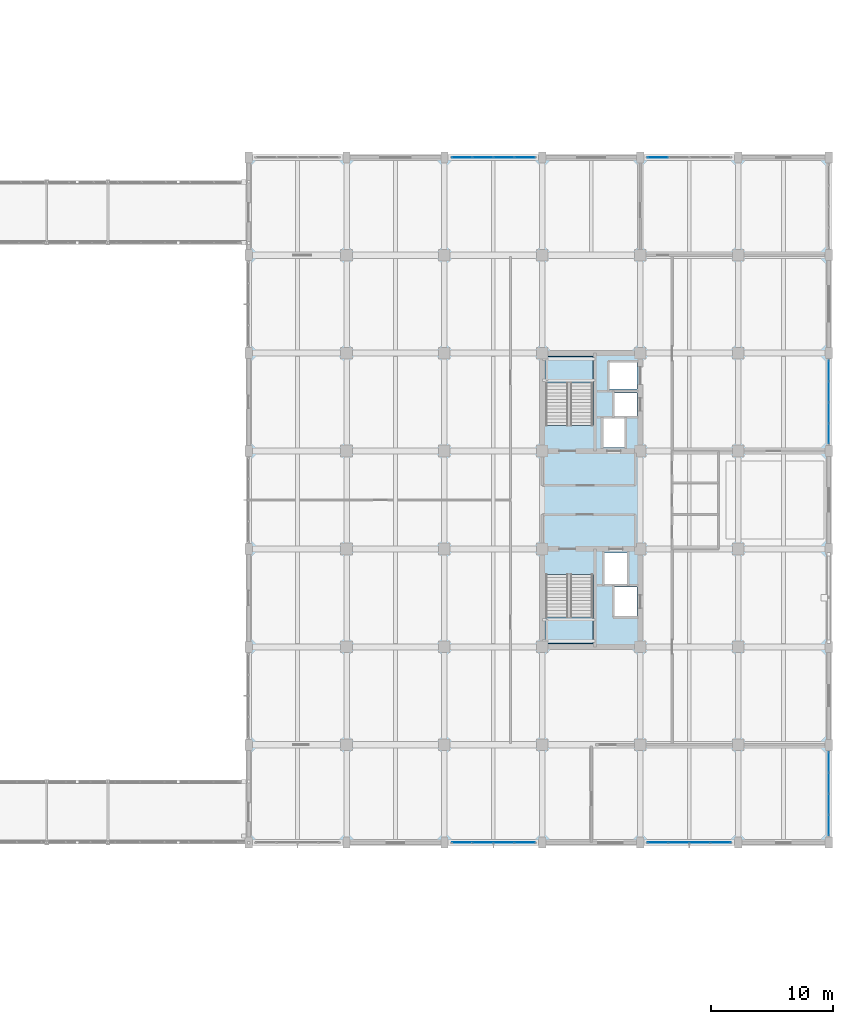
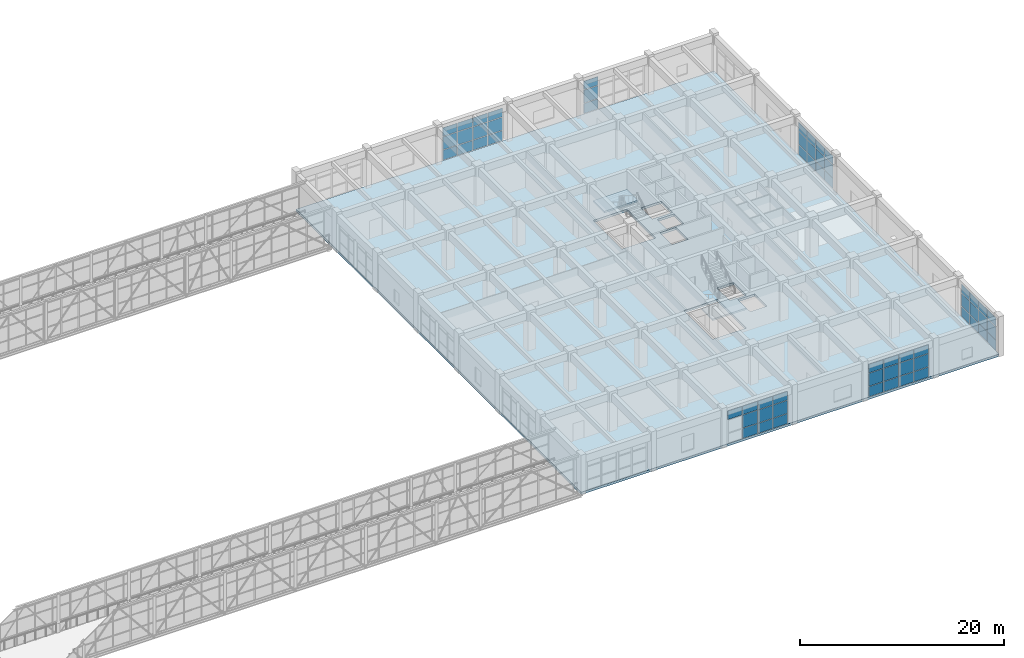
# One storey, part 212 of 248: 61 plates, 3 slabs, 8 elements without a shape of their own.
"""IFC4 building model written with IfcOpenShell, lengths in metres."""

from ifc_helpers import new_model, si_unit, direction, frame, origin, origin_2d, place, context, subcontext, project, spatial, polyline, rectangle, outline, extrude, material, layer, layer_set, type_object, element, aggregate, save


model = new_model("IFC4")

# Units and contexts
model_context = context("Model", 3, precision=1e-05, world=origin(), true_north=direction((0.0, 1.0)))
body_context = subcontext(model_context, "Body", "Model", "MODEL_VIEW")
ifc_project = project(units=[si_unit("LENGTHUNIT", "METRE"), si_unit("AREAUNIT", "SQUARE_METRE"), si_unit("VOLUMEUNIT", "CUBIC_METRE"), si_unit("PLANEANGLEUNIT", "RADIAN"), si_unit("MASSUNIT", "GRAM", prefix="KILO")], contexts=[model_context])

# Site, building, storey
site_placement = place(None, origin())
site = spatial("IfcSite", under=ifc_project, at=site_placement, CompositionType="ELEMENT")
building_placement = place(site_placement, origin())
building = spatial("IfcBuilding", under=site, at=building_placement, Name="Canggui Botanical Conservatory", CompositionType="ELEMENT")
storey_placement = place(building_placement, frame((0.0, 0.0, 5.39990234375)))
storey = spatial("IfcBuildingStorey", under=building, at=storey_placement, Name="L02", CompositionType="ELEMENT", Elevation=5.39990234375)

# Curtain wall, plates
ifc_material_1 = material(Name="Thermally Broken Aluminium", Category="aluminium")
ifc_layer_1 = layer(ifc_material_1, 0.1650390625, Name="Thermally Broken Aluminium", Category="aluminium")
ifc_layer_set_1 = layer_set([ifc_layer_1], Name="Thermally Broken Aluminium")
curtain_wall_type = type_object("IfcCurtainWallType", Name="CW-UNIT-B", PredefinedType="USERDEFINED", material=ifc_layer_set_1)
curtain_wall_1_placement = place(storey_placement, origin())
curtain_wall_1 = element("IfcCurtainWall", 1, at=curtain_wall_1_placement, inside=storey, type_object=curtain_wall_type, Name="Facade Curtain Wall CW-TWR-L02-02", ObjectType="UNITISED CURTAIN WALL", PredefinedType="USERDEFINED")
ifc_material_2 = material(Name="Low-E Insulated Glass", Category="glass")
ifc_layer_2 = layer(ifc_material_2, 0.030029296875, Name="Low-E Insulated Glass", Category="glass")
ifc_layer_set_2 = layer_set([ifc_layer_2], Name="Low-E Insulated Glass")
plate_type = type_object("IfcPlateType", Name="CWP-02", PredefinedType="CURTAIN_PANEL", material=ifc_layer_set_2)
plate_1_placement = place(storey_placement, frame((168.563720703125, 26.0, 0.06005859375), z_axis=(0.0, 0.0, 1.0), x_axis=(-1.0, 0.0, 0.0)))
plate_1 = element("IfcPlate", 2, at=plate_1_placement, type_object=plate_type, Name="CW-02 panel 1.1", PredefinedType="CURTAIN_PANEL", context=body_context, shape_type="SweptSolid", body=[
    extrude(rectangle(XDim=1.62255859375, YDim=0.030029296875, at=origin_2d()), origin(), (0.0, 0.0, 1.0), 1.18994140625),
])
plate_2_placement = place(storey_placement, frame((168.563720703125, 26.0, 1.31005859375), z_axis=(0.0, 0.0, 1.0), x_axis=(-1.0, 0.0, 0.0)))
plate_2 = element("IfcPlate", 3, at=plate_2_placement, type_object=plate_type, Name="CW-02 panel 1.2", PredefinedType="CURTAIN_PANEL", context=body_context, shape_type="SweptSolid", body=[
    extrude(rectangle(XDim=1.62255859375, YDim=0.030029296875, at=origin_2d()), origin(), (0.0, 0.0, 1.0), 1.5400390625),
])
plate_3_placement = place(storey_placement, frame((168.563720703125, 26.0, 2.91015625), z_axis=(0.0, 0.0, 1.0), x_axis=(-1.0, 0.0, 0.0)))
plate_3 = element("IfcPlate", 4, at=plate_3_placement, type_object=plate_type, Name="CW-02 panel 1.3", PredefinedType="CURTAIN_PANEL", context=body_context, shape_type="SweptSolid", body=[
    extrude(rectangle(XDim=1.62255859375, YDim=0.030029296875, at=origin_2d()), origin(), (0.0, 0.0, 1.0), 1.030029296875),
])
plate_4_placement = place(storey_placement, frame((166.860107421875, 26.0, 0.06005859375), z_axis=(0.0, 0.0, 1.0), x_axis=(-1.0, 0.0, 0.0)))
plate_4 = element("IfcPlate", 5, at=plate_4_placement, type_object=plate_type, Name="CW-02 panel 2.1", PredefinedType="CURTAIN_PANEL", context=body_context, shape_type="SweptSolid", body=[
    extrude(rectangle(XDim=1.655029296875, YDim=0.030029296875, at=origin_2d()), origin(), (0.0, 0.0, 1.0), 1.18994140625),
])
plate_5_placement = place(storey_placement, frame((166.860107421875, 26.0, 1.31005859375), z_axis=(0.0, 0.0, 1.0), x_axis=(-1.0, 0.0, 0.0)))
plate_5 = element("IfcPlate", 6, at=plate_5_placement, type_object=plate_type, Name="CW-02 panel 2.2", PredefinedType="CURTAIN_PANEL", context=body_context, shape_type="SweptSolid", body=[
    extrude(rectangle(XDim=1.655029296875, YDim=0.030029296875, at=origin_2d()), origin(), (0.0, 0.0, 1.0), 1.5400390625),
])
plate_6_placement = place(storey_placement, frame((166.860107421875, 26.0, 2.91015625), z_axis=(0.0, 0.0, 1.0), x_axis=(-1.0, 0.0, 0.0)))
plate_6 = element("IfcPlate", 7, at=plate_6_placement, type_object=plate_type, Name="CW-02 panel 2.3", PredefinedType="CURTAIN_PANEL", context=body_context, shape_type="SweptSolid", body=[
    extrude(rectangle(XDim=1.655029296875, YDim=0.030029296875, at=origin_2d()), origin(), (0.0, 0.0, 1.0), 1.030029296875),
])
plate_7_placement = place(storey_placement, frame((165.139892578125, 26.0, 0.06005859375), z_axis=(0.0, 0.0, 1.0), x_axis=(-1.0, 0.0, 0.0)))
plate_7 = element("IfcPlate", 8, at=plate_7_placement, type_object=plate_type, Name="CW-02 panel 3.1", PredefinedType="CURTAIN_PANEL", context=body_context, shape_type="SweptSolid", body=[
    extrude(rectangle(XDim=1.655029296875, YDim=0.030029296875, at=origin_2d()), origin(), (0.0, 0.0, 1.0), 1.18994140625),
])
plate_8_placement = place(storey_placement, frame((165.139892578125, 26.0, 1.31005859375), z_axis=(0.0, 0.0, 1.0), x_axis=(-1.0, 0.0, 0.0)))
plate_8 = element("IfcPlate", 9, at=plate_8_placement, type_object=plate_type, Name="CW-02 panel 3.2", PredefinedType="CURTAIN_PANEL", context=body_context, shape_type="SweptSolid", body=[
    extrude(rectangle(XDim=1.655029296875, YDim=0.030029296875, at=origin_2d()), origin(), (0.0, 0.0, 1.0), 1.5400390625),
])
plate_9_placement = place(storey_placement, frame((165.139892578125, 26.0, 2.91015625), z_axis=(0.0, 0.0, 1.0), x_axis=(-1.0, 0.0, 0.0)))
plate_9 = element("IfcPlate", 10, at=plate_9_placement, type_object=plate_type, Name="CW-02 panel 3.3", PredefinedType="CURTAIN_PANEL", context=body_context, shape_type="SweptSolid", body=[
    extrude(rectangle(XDim=1.655029296875, YDim=0.030029296875, at=origin_2d()), origin(), (0.0, 0.0, 1.0), 1.030029296875),
])
plate_10_placement = place(storey_placement, frame((163.436279296875, 26.0, 0.06005859375), z_axis=(0.0, 0.0, 1.0), x_axis=(-1.0, 0.0, 0.0)))
plate_10 = element("IfcPlate", 11, at=plate_10_placement, type_object=plate_type, Name="CW-02 panel 4.1", PredefinedType="CURTAIN_PANEL", context=body_context, shape_type="SweptSolid", body=[
    extrude(rectangle(XDim=1.62255859375, YDim=0.030029296875, at=origin_2d()), origin(), (0.0, 0.0, 1.0), 1.18994140625),
])
plate_11_placement = place(storey_placement, frame((163.436279296875, 26.0, 1.31005859375), z_axis=(0.0, 0.0, 1.0), x_axis=(-1.0, 0.0, 0.0)))
plate_11 = element("IfcPlate", 12, at=plate_11_placement, type_object=plate_type, Name="CW-02 panel 4.2", PredefinedType="CURTAIN_PANEL", context=body_context, shape_type="SweptSolid", body=[
    extrude(rectangle(XDim=1.62255859375, YDim=0.030029296875, at=origin_2d()), origin(), (0.0, 0.0, 1.0), 1.5400390625),
])
plate_12_placement = place(storey_placement, frame((163.436279296875, 26.0, 2.91015625), z_axis=(0.0, 0.0, 1.0), x_axis=(-1.0, 0.0, 0.0)))
plate_12 = element("IfcPlate", 13, at=plate_12_placement, type_object=plate_type, Name="CW-02 panel 4.3", PredefinedType="CURTAIN_PANEL", context=body_context, shape_type="SweptSolid", body=[
    extrude(rectangle(XDim=1.62255859375, YDim=0.030029296875, at=origin_2d()), origin(), (0.0, 0.0, 1.0), 1.030029296875),
])
aggregate(curtain_wall_1, [plate_1, plate_2, plate_3, plate_4, plate_5, plate_6, plate_7, plate_8, plate_9, plate_10, plate_11, plate_12])

curtain_wall_2_placement = place(storey_placement, origin())
curtain_wall_2 = element("IfcCurtainWall", 14, at=curtain_wall_2_placement, inside=storey, type_object=curtain_wall_type, Name="Facade Curtain Wall CW-TWR-L02-04", ObjectType="UNITISED CURTAIN WALL", PredefinedType="USERDEFINED")
plate_13_placement = place(storey_placement, frame((152.563720703125, 26.0, 0.06005859375), z_axis=(0.0, 0.0, 1.0), x_axis=(-1.0, 0.0, 0.0)))
plate_13 = element("IfcPlate", 15, at=plate_13_placement, type_object=plate_type, Name="CW-02 panel 1.1", PredefinedType="CURTAIN_PANEL", context=body_context, shape_type="SweptSolid", body=[
    extrude(rectangle(XDim=1.62255859375, YDim=0.030029296875, at=origin_2d()), origin(), (0.0, 0.0, 1.0), 1.18994140625),
])
plate_14_placement = place(storey_placement, frame((152.563720703125, 26.0, 1.31005859375), z_axis=(0.0, 0.0, 1.0), x_axis=(-1.0, 0.0, 0.0)))
plate_14 = element("IfcPlate", 16, at=plate_14_placement, type_object=plate_type, Name="CW-02 panel 1.2", PredefinedType="CURTAIN_PANEL", context=body_context, shape_type="SweptSolid", body=[
    extrude(rectangle(XDim=1.62255859375, YDim=0.030029296875, at=origin_2d()), origin(), (0.0, 0.0, 1.0), 1.5400390625),
])
plate_15_placement = place(storey_placement, frame((152.563720703125, 26.0, 2.91015625), z_axis=(0.0, 0.0, 1.0), x_axis=(-1.0, 0.0, 0.0)))
plate_15 = element("IfcPlate", 17, at=plate_15_placement, type_object=plate_type, Name="CW-02 panel 1.3", PredefinedType="CURTAIN_PANEL", context=body_context, shape_type="SweptSolid", body=[
    extrude(rectangle(XDim=1.62255859375, YDim=0.030029296875, at=origin_2d()), origin(), (0.0, 0.0, 1.0), 1.030029296875),
])
plate_16_placement = place(storey_placement, frame((150.860107421875, 26.0, 0.06005859375), z_axis=(0.0, 0.0, 1.0), x_axis=(-1.0, 0.0, 0.0)))
plate_16 = element("IfcPlate", 18, at=plate_16_placement, type_object=plate_type, Name="CW-02 panel 2.1", PredefinedType="CURTAIN_PANEL", context=body_context, shape_type="SweptSolid", body=[
    extrude(rectangle(XDim=1.655029296875, YDim=0.030029296875, at=origin_2d()), origin(), (0.0, 0.0, 1.0), 1.18994140625),
])
plate_17_placement = place(storey_placement, frame((150.860107421875, 26.0, 1.31005859375), z_axis=(0.0, 0.0, 1.0), x_axis=(-1.0, 0.0, 0.0)))
plate_17 = element("IfcPlate", 19, at=plate_17_placement, type_object=plate_type, Name="CW-02 panel 2.2", PredefinedType="CURTAIN_PANEL", context=body_context, shape_type="SweptSolid", body=[
    extrude(rectangle(XDim=1.655029296875, YDim=0.030029296875, at=origin_2d()), origin(), (0.0, 0.0, 1.0), 1.5400390625),
])
plate_18_placement = place(storey_placement, frame((150.860107421875, 26.0, 2.91015625), z_axis=(0.0, 0.0, 1.0), x_axis=(-1.0, 0.0, 0.0)))
plate_18 = element("IfcPlate", 20, at=plate_18_placement, type_object=plate_type, Name="CW-02 panel 2.3", PredefinedType="CURTAIN_PANEL", context=body_context, shape_type="SweptSolid", body=[
    extrude(rectangle(XDim=1.655029296875, YDim=0.030029296875, at=origin_2d()), origin(), (0.0, 0.0, 1.0), 1.030029296875),
])
plate_19_placement = place(storey_placement, frame((149.139892578125, 26.0, 0.06005859375), z_axis=(0.0, 0.0, 1.0), x_axis=(-1.0, 0.0, 0.0)))
plate_19 = element("IfcPlate", 21, at=plate_19_placement, type_object=plate_type, Name="CW-02 panel 3.1", PredefinedType="CURTAIN_PANEL", context=body_context, shape_type="SweptSolid", body=[
    extrude(rectangle(XDim=1.655029296875, YDim=0.030029296875, at=origin_2d()), origin(), (0.0, 0.0, 1.0), 1.18994140625),
])
plate_20_placement = place(storey_placement, frame((149.139892578125, 26.0, 1.31005859375), z_axis=(0.0, 0.0, 1.0), x_axis=(-1.0, 0.0, 0.0)))
plate_20 = element("IfcPlate", 22, at=plate_20_placement, type_object=plate_type, Name="CW-02 panel 3.2", PredefinedType="CURTAIN_PANEL", context=body_context, shape_type="SweptSolid", body=[
    extrude(rectangle(XDim=1.655029296875, YDim=0.030029296875, at=origin_2d()), origin(), (0.0, 0.0, 1.0), 1.5400390625),
])
plate_21_placement = place(storey_placement, frame((149.139892578125, 26.0, 2.91015625), z_axis=(0.0, 0.0, 1.0), x_axis=(-1.0, 0.0, 0.0)))
plate_21 = element("IfcPlate", 23, at=plate_21_placement, type_object=plate_type, Name="CW-02 panel 3.3", PredefinedType="CURTAIN_PANEL", context=body_context, shape_type="SweptSolid", body=[
    extrude(rectangle(XDim=1.655029296875, YDim=0.030029296875, at=origin_2d()), origin(), (0.0, 0.0, 1.0), 1.030029296875),
])
plate_22_placement = place(storey_placement, frame((147.436279296875, 26.0, 2.91015625), z_axis=(0.0, 0.0, 1.0), x_axis=(-1.0, 0.0, 0.0)))
plate_22 = element("IfcPlate", 24, at=plate_22_placement, type_object=plate_type, Name="CW-02 panel 4.3", PredefinedType="CURTAIN_PANEL", context=body_context, shape_type="SweptSolid", body=[
    extrude(rectangle(XDim=1.62255859375, YDim=0.030029296875, at=origin_2d()), origin(), (0.0, 0.0, 1.0), 1.030029296875),
])
aggregate(curtain_wall_2, [plate_13, plate_14, plate_15, plate_16, plate_17, plate_18, plate_19, plate_20, plate_21, plate_22])

curtain_wall_3_placement = place(storey_placement, origin())
curtain_wall_3 = element("IfcCurtainWall", 25, at=curtain_wall_3_placement, inside=storey, type_object=curtain_wall_type, Name="Facade Curtain Wall CW-TWR-L02-16", ObjectType="UNITISED CURTAIN WALL", PredefinedType="USERDEFINED")
plate_23_placement = place(storey_placement, frame((147.436279296875, 82.0, 0.06005859375), z_axis=(0.0, 0.0, 1.0), x_axis=(1.0, 0.0, 0.0)))
plate_23 = element("IfcPlate", 26, at=plate_23_placement, type_object=plate_type, Name="CW-02 panel 1.1", PredefinedType="CURTAIN_PANEL", context=body_context, shape_type="SweptSolid", body=[
    extrude(rectangle(XDim=1.62255859375, YDim=0.030029296875, at=origin_2d()), origin(), (0.0, 0.0, 1.0), 1.18994140625),
])
plate_24_placement = place(storey_placement, frame((147.436279296875, 82.0, 1.31005859375), z_axis=(0.0, 0.0, 1.0), x_axis=(1.0, 0.0, 0.0)))
plate_24 = element("IfcPlate", 27, at=plate_24_placement, type_object=plate_type, Name="CW-02 panel 1.2", PredefinedType="CURTAIN_PANEL", context=body_context, shape_type="SweptSolid", body=[
    extrude(rectangle(XDim=1.62255859375, YDim=0.030029296875, at=origin_2d()), origin(), (0.0, 0.0, 1.0), 1.5400390625),
])
plate_25_placement = place(storey_placement, frame((147.436279296875, 82.0, 2.91015625), z_axis=(0.0, 0.0, 1.0), x_axis=(1.0, 0.0, 0.0)))
plate_25 = element("IfcPlate", 28, at=plate_25_placement, type_object=plate_type, Name="CW-02 panel 1.3", PredefinedType="CURTAIN_PANEL", context=body_context, shape_type="SweptSolid", body=[
    extrude(rectangle(XDim=1.62255859375, YDim=0.030029296875, at=origin_2d()), origin(), (0.0, 0.0, 1.0), 1.030029296875),
])
plate_26_placement = place(storey_placement, frame((149.139892578125, 82.0, 0.06005859375), z_axis=(0.0, 0.0, 1.0), x_axis=(1.0, 0.0, 0.0)))
plate_26 = element("IfcPlate", 29, at=plate_26_placement, type_object=plate_type, Name="CW-02 panel 2.1", PredefinedType="CURTAIN_PANEL", context=body_context, shape_type="SweptSolid", body=[
    extrude(rectangle(XDim=1.655029296875, YDim=0.030029296875, at=origin_2d()), origin(), (0.0, 0.0, 1.0), 1.18994140625),
])
plate_27_placement = place(storey_placement, frame((149.139892578125, 82.0, 1.31005859375), z_axis=(0.0, 0.0, 1.0), x_axis=(1.0, 0.0, 0.0)))
plate_27 = element("IfcPlate", 30, at=plate_27_placement, type_object=plate_type, Name="CW-02 panel 2.2", PredefinedType="CURTAIN_PANEL", context=body_context, shape_type="SweptSolid", body=[
    extrude(rectangle(XDim=1.655029296875, YDim=0.030029296875, at=origin_2d()), origin(), (0.0, 0.0, 1.0), 1.5400390625),
])
plate_28_placement = place(storey_placement, frame((149.139892578125, 82.0, 2.91015625), z_axis=(0.0, 0.0, 1.0), x_axis=(1.0, 0.0, 0.0)))
plate_28 = element("IfcPlate", 31, at=plate_28_placement, type_object=plate_type, Name="CW-02 panel 2.3", PredefinedType="CURTAIN_PANEL", context=body_context, shape_type="SweptSolid", body=[
    extrude(rectangle(XDim=1.655029296875, YDim=0.030029296875, at=origin_2d()), origin(), (0.0, 0.0, 1.0), 1.030029296875),
])
plate_29_placement = place(storey_placement, frame((150.860107421875, 82.0, 0.06005859375), z_axis=(0.0, 0.0, 1.0), x_axis=(1.0, 0.0, 0.0)))
plate_29 = element("IfcPlate", 32, at=plate_29_placement, type_object=plate_type, Name="CW-02 panel 3.1", PredefinedType="CURTAIN_PANEL", context=body_context, shape_type="SweptSolid", body=[
    extrude(rectangle(XDim=1.655029296875, YDim=0.030029296875, at=origin_2d()), origin(), (0.0, 0.0, 1.0), 1.18994140625),
])
plate_30_placement = place(storey_placement, frame((150.860107421875, 82.0, 1.31005859375), z_axis=(0.0, 0.0, 1.0), x_axis=(1.0, 0.0, 0.0)))
plate_30 = element("IfcPlate", 33, at=plate_30_placement, type_object=plate_type, Name="CW-02 panel 3.2", PredefinedType="CURTAIN_PANEL", context=body_context, shape_type="SweptSolid", body=[
    extrude(rectangle(XDim=1.655029296875, YDim=0.030029296875, at=origin_2d()), origin(), (0.0, 0.0, 1.0), 1.5400390625),
])
plate_31_placement = place(storey_placement, frame((150.860107421875, 82.0, 2.91015625), z_axis=(0.0, 0.0, 1.0), x_axis=(1.0, 0.0, 0.0)))
plate_31 = element("IfcPlate", 34, at=plate_31_placement, type_object=plate_type, Name="CW-02 panel 3.3", PredefinedType="CURTAIN_PANEL", context=body_context, shape_type="SweptSolid", body=[
    extrude(rectangle(XDim=1.655029296875, YDim=0.030029296875, at=origin_2d()), origin(), (0.0, 0.0, 1.0), 1.030029296875),
])
plate_32_placement = place(storey_placement, frame((152.563720703125, 82.0, 0.06005859375), z_axis=(0.0, 0.0, 1.0), x_axis=(1.0, 0.0, 0.0)))
plate_32 = element("IfcPlate", 35, at=plate_32_placement, type_object=plate_type, Name="CW-02 panel 4.1", PredefinedType="CURTAIN_PANEL", context=body_context, shape_type="SweptSolid", body=[
    extrude(rectangle(XDim=1.62255859375, YDim=0.030029296875, at=origin_2d()), origin(), (0.0, 0.0, 1.0), 1.18994140625),
])
plate_33_placement = place(storey_placement, frame((152.563720703125, 82.0, 1.31005859375), z_axis=(0.0, 0.0, 1.0), x_axis=(1.0, 0.0, 0.0)))
plate_33 = element("IfcPlate", 36, at=plate_33_placement, type_object=plate_type, Name="CW-02 panel 4.2", PredefinedType="CURTAIN_PANEL", context=body_context, shape_type="SweptSolid", body=[
    extrude(rectangle(XDim=1.62255859375, YDim=0.030029296875, at=origin_2d()), origin(), (0.0, 0.0, 1.0), 1.5400390625),
])
plate_34_placement = place(storey_placement, frame((152.563720703125, 82.0, 2.91015625), z_axis=(0.0, 0.0, 1.0), x_axis=(1.0, 0.0, 0.0)))
plate_34 = element("IfcPlate", 37, at=plate_34_placement, type_object=plate_type, Name="CW-02 panel 4.3", PredefinedType="CURTAIN_PANEL", context=body_context, shape_type="SweptSolid", body=[
    extrude(rectangle(XDim=1.62255859375, YDim=0.030029296875, at=origin_2d()), origin(), (0.0, 0.0, 1.0), 1.030029296875),
])
aggregate(curtain_wall_3, [plate_23, plate_24, plate_25, plate_26, plate_27, plate_28, plate_29, plate_30, plate_31, plate_32, plate_33, plate_34])

curtain_wall_4_placement = place(storey_placement, origin())
curtain_wall_4 = element("IfcCurtainWall", 38, at=curtain_wall_4_placement, inside=storey, type_object=curtain_wall_type, Name="Facade Curtain Wall CW-TWR-L02-18", ObjectType="UNITISED CURTAIN WALL", PredefinedType="USERDEFINED")
plate_35_placement = place(storey_placement, frame((163.436279296875, 82.0, 0.06005859375), z_axis=(0.0, 0.0, 1.0), x_axis=(1.0, 0.0, 0.0)))
plate_35 = element("IfcPlate", 39, at=plate_35_placement, type_object=plate_type, Name="CW-02 panel 1.1", PredefinedType="CURTAIN_PANEL", context=body_context, shape_type="SweptSolid", body=[
    extrude(rectangle(XDim=1.62255859375, YDim=0.030029296875, at=origin_2d()), origin(), (0.0, 0.0, 1.0), 1.18994140625),
])
plate_36_placement = place(storey_placement, frame((163.436279296875, 82.0, 1.31005859375), z_axis=(0.0, 0.0, 1.0), x_axis=(1.0, 0.0, 0.0)))
plate_36 = element("IfcPlate", 40, at=plate_36_placement, type_object=plate_type, Name="CW-02 panel 1.2", PredefinedType="CURTAIN_PANEL", context=body_context, shape_type="SweptSolid", body=[
    extrude(rectangle(XDim=1.62255859375, YDim=0.030029296875, at=origin_2d()), origin(), (0.0, 0.0, 1.0), 1.5400390625),
])
plate_37_placement = place(storey_placement, frame((163.436279296875, 82.0, 2.91015625), z_axis=(0.0, 0.0, 1.0), x_axis=(1.0, 0.0, 0.0)))
plate_37 = element("IfcPlate", 41, at=plate_37_placement, type_object=plate_type, Name="CW-02 panel 1.3", PredefinedType="CURTAIN_PANEL", context=body_context, shape_type="SweptSolid", body=[
    extrude(rectangle(XDim=1.62255859375, YDim=0.030029296875, at=origin_2d()), origin(), (0.0, 0.0, 1.0), 1.030029296875),
])
aggregate(curtain_wall_4, [plate_35, plate_36, plate_37])

curtain_wall_5_placement = place(storey_placement, origin())
curtain_wall_5 = element("IfcCurtainWall", 42, at=curtain_wall_5_placement, inside=storey, type_object=curtain_wall_type, Name="Facade Curtain Wall CW-TWR-L02-22", ObjectType="UNITISED CURTAIN WALL", PredefinedType="USERDEFINED")
plate_38_placement = place(storey_placement, frame((177.39990234375, 64.563720703125, 0.06005859375), z_axis=(0.0, 0.0, 1.0), x_axis=(0.0, -1.0, 0.0)))
plate_38 = element("IfcPlate", 43, at=plate_38_placement, type_object=plate_type, Name="CW-02 panel 1.1", PredefinedType="CURTAIN_PANEL", context=body_context, shape_type="SweptSolid", body=[
    extrude(rectangle(XDim=1.62255859375, YDim=0.030029296875, at=origin_2d()), origin(), (0.0, 0.0, 1.0), 1.18994140625),
])
plate_39_placement = place(storey_placement, frame((177.39990234375, 64.563720703125, 1.31005859375), z_axis=(0.0, 0.0, 1.0), x_axis=(0.0, -1.0, 0.0)))
plate_39 = element("IfcPlate", 44, at=plate_39_placement, type_object=plate_type, Name="CW-02 panel 1.2", PredefinedType="CURTAIN_PANEL", context=body_context, shape_type="SweptSolid", body=[
    extrude(rectangle(XDim=1.62255859375, YDim=0.030029296875, at=origin_2d()), origin(), (0.0, 0.0, 1.0), 1.5400390625),
])
plate_40_placement = place(storey_placement, frame((177.39990234375, 64.563720703125, 2.91015625), z_axis=(0.0, 0.0, 1.0), x_axis=(0.0, -1.0, 0.0)))
plate_40 = element("IfcPlate", 45, at=plate_40_placement, type_object=plate_type, Name="CW-02 panel 1.3", PredefinedType="CURTAIN_PANEL", context=body_context, shape_type="SweptSolid", body=[
    extrude(rectangle(XDim=1.62255859375, YDim=0.030029296875, at=origin_2d()), origin(), (0.0, 0.0, 1.0), 1.030029296875),
])
plate_41_placement = place(storey_placement, frame((177.39990234375, 62.860107421875, 0.06005859375), z_axis=(0.0, 0.0, 1.0), x_axis=(0.0, -1.0, 0.0)))
plate_41 = element("IfcPlate", 46, at=plate_41_placement, type_object=plate_type, Name="CW-02 panel 2.1", PredefinedType="CURTAIN_PANEL", context=body_context, shape_type="SweptSolid", body=[
    extrude(rectangle(XDim=1.655029296875, YDim=0.030029296875, at=origin_2d()), origin(), (0.0, 0.0, 1.0), 1.18994140625),
])
plate_42_placement = place(storey_placement, frame((177.39990234375, 62.860107421875, 1.31005859375), z_axis=(0.0, 0.0, 1.0), x_axis=(0.0, -1.0, 0.0)))
plate_42 = element("IfcPlate", 47, at=plate_42_placement, type_object=plate_type, Name="CW-02 panel 2.2", PredefinedType="CURTAIN_PANEL", context=body_context, shape_type="SweptSolid", body=[
    extrude(rectangle(XDim=1.655029296875, YDim=0.030029296875, at=origin_2d()), origin(), (0.0, 0.0, 1.0), 1.5400390625),
])
plate_43_placement = place(storey_placement, frame((177.39990234375, 62.860107421875, 2.91015625), z_axis=(0.0, 0.0, 1.0), x_axis=(0.0, -1.0, 0.0)))
plate_43 = element("IfcPlate", 48, at=plate_43_placement, type_object=plate_type, Name="CW-02 panel 2.3", PredefinedType="CURTAIN_PANEL", context=body_context, shape_type="SweptSolid", body=[
    extrude(rectangle(XDim=1.655029296875, YDim=0.030029296875, at=origin_2d()), origin(), (0.0, 0.0, 1.0), 1.030029296875),
])
plate_44_placement = place(storey_placement, frame((177.39990234375, 61.139892578125, 0.06005859375), z_axis=(0.0, 0.0, 1.0), x_axis=(0.0, -1.0, 0.0)))
plate_44 = element("IfcPlate", 49, at=plate_44_placement, type_object=plate_type, Name="CW-02 panel 3.1", PredefinedType="CURTAIN_PANEL", context=body_context, shape_type="SweptSolid", body=[
    extrude(rectangle(XDim=1.655029296875, YDim=0.030029296875, at=origin_2d()), origin(), (0.0, 0.0, 1.0), 1.18994140625),
])
plate_45_placement = place(storey_placement, frame((177.39990234375, 61.139892578125, 1.31005859375), z_axis=(0.0, 0.0, 1.0), x_axis=(0.0, -1.0, 0.0)))
plate_45 = element("IfcPlate", 50, at=plate_45_placement, type_object=plate_type, Name="CW-02 panel 3.2", PredefinedType="CURTAIN_PANEL", context=body_context, shape_type="SweptSolid", body=[
    extrude(rectangle(XDim=1.655029296875, YDim=0.030029296875, at=origin_2d()), origin(), (0.0, 0.0, 1.0), 1.5400390625),
])
plate_46_placement = place(storey_placement, frame((177.39990234375, 61.139892578125, 2.91015625), z_axis=(0.0, 0.0, 1.0), x_axis=(0.0, -1.0, 0.0)))
plate_46 = element("IfcPlate", 51, at=plate_46_placement, type_object=plate_type, Name="CW-02 panel 3.3", PredefinedType="CURTAIN_PANEL", context=body_context, shape_type="SweptSolid", body=[
    extrude(rectangle(XDim=1.655029296875, YDim=0.030029296875, at=origin_2d()), origin(), (0.0, 0.0, 1.0), 1.030029296875),
])
plate_47_placement = place(storey_placement, frame((177.39990234375, 59.436279296875, 0.06005859375), z_axis=(0.0, 0.0, 1.0), x_axis=(0.0, -1.0, 0.0)))
plate_47 = element("IfcPlate", 52, at=plate_47_placement, type_object=plate_type, Name="CW-02 panel 4.1", PredefinedType="CURTAIN_PANEL", context=body_context, shape_type="SweptSolid", body=[
    extrude(rectangle(XDim=1.62255859375, YDim=0.030029296875, at=origin_2d()), origin(), (0.0, 0.0, 1.0), 1.18994140625),
])
plate_48_placement = place(storey_placement, frame((177.39990234375, 59.436279296875, 1.31005859375), z_axis=(0.0, 0.0, 1.0), x_axis=(0.0, -1.0, 0.0)))
plate_48 = element("IfcPlate", 53, at=plate_48_placement, type_object=plate_type, Name="CW-02 panel 4.2", PredefinedType="CURTAIN_PANEL", context=body_context, shape_type="SweptSolid", body=[
    extrude(rectangle(XDim=1.62255859375, YDim=0.030029296875, at=origin_2d()), origin(), (0.0, 0.0, 1.0), 1.5400390625),
])
plate_49_placement = place(storey_placement, frame((177.39990234375, 59.436279296875, 2.91015625), z_axis=(0.0, 0.0, 1.0), x_axis=(0.0, -1.0, 0.0)))
plate_49 = element("IfcPlate", 54, at=plate_49_placement, type_object=plate_type, Name="CW-02 panel 4.3", PredefinedType="CURTAIN_PANEL", context=body_context, shape_type="SweptSolid", body=[
    extrude(rectangle(XDim=1.62255859375, YDim=0.030029296875, at=origin_2d()), origin(), (0.0, 0.0, 1.0), 1.030029296875),
])
aggregate(curtain_wall_5, [plate_38, plate_39, plate_40, plate_41, plate_42, plate_43, plate_44, plate_45, plate_46, plate_47, plate_48, plate_49])

curtain_wall_6_placement = place(storey_placement, origin())
curtain_wall_6 = element("IfcCurtainWall", 55, at=curtain_wall_6_placement, inside=storey, type_object=curtain_wall_type, Name="Facade Curtain Wall CW-TWR-L02-26", ObjectType="UNITISED CURTAIN WALL", PredefinedType="USERDEFINED")
plate_50_placement = place(storey_placement, frame((177.39990234375, 32.563720703125, 0.06005859375), z_axis=(0.0, 0.0, 1.0), x_axis=(0.0, -1.0, 0.0)))
plate_50 = element("IfcPlate", 56, at=plate_50_placement, type_object=plate_type, Name="CW-02 panel 1.1", PredefinedType="CURTAIN_PANEL", context=body_context, shape_type="SweptSolid", body=[
    extrude(rectangle(XDim=1.62255859375, YDim=0.030029296875, at=origin_2d()), origin(), (0.0, 0.0, 1.0), 1.18994140625),
])
plate_51_placement = place(storey_placement, frame((177.39990234375, 32.563720703125, 1.31005859375), z_axis=(0.0, 0.0, 1.0), x_axis=(0.0, -1.0, 0.0)))
plate_51 = element("IfcPlate", 57, at=plate_51_placement, type_object=plate_type, Name="CW-02 panel 1.2", PredefinedType="CURTAIN_PANEL", context=body_context, shape_type="SweptSolid", body=[
    extrude(rectangle(XDim=1.62255859375, YDim=0.030029296875, at=origin_2d()), origin(), (0.0, 0.0, 1.0), 1.5400390625),
])
plate_52_placement = place(storey_placement, frame((177.39990234375, 32.563720703125, 2.91015625), z_axis=(0.0, 0.0, 1.0), x_axis=(0.0, -1.0, 0.0)))
plate_52 = element("IfcPlate", 58, at=plate_52_placement, type_object=plate_type, Name="CW-02 panel 1.3", PredefinedType="CURTAIN_PANEL", context=body_context, shape_type="SweptSolid", body=[
    extrude(rectangle(XDim=1.62255859375, YDim=0.030029296875, at=origin_2d()), origin(), (0.0, 0.0, 1.0), 1.030029296875),
])
plate_53_placement = place(storey_placement, frame((177.39990234375, 30.860107421875, 0.06005859375), z_axis=(0.0, 0.0, 1.0), x_axis=(0.0, -1.0, 0.0)))
plate_53 = element("IfcPlate", 59, at=plate_53_placement, type_object=plate_type, Name="CW-02 panel 2.1", PredefinedType="CURTAIN_PANEL", context=body_context, shape_type="SweptSolid", body=[
    extrude(rectangle(XDim=1.655029296875, YDim=0.030029296875, at=origin_2d()), origin(), (0.0, 0.0, 1.0), 1.18994140625),
])
plate_54_placement = place(storey_placement, frame((177.39990234375, 30.860107421875, 1.31005859375), z_axis=(0.0, 0.0, 1.0), x_axis=(0.0, -1.0, 0.0)))
plate_54 = element("IfcPlate", 60, at=plate_54_placement, type_object=plate_type, Name="CW-02 panel 2.2", PredefinedType="CURTAIN_PANEL", context=body_context, shape_type="SweptSolid", body=[
    extrude(rectangle(XDim=1.655029296875, YDim=0.030029296875, at=origin_2d()), origin(), (0.0, 0.0, 1.0), 1.5400390625),
])
plate_55_placement = place(storey_placement, frame((177.39990234375, 30.860107421875, 2.91015625), z_axis=(0.0, 0.0, 1.0), x_axis=(0.0, -1.0, 0.0)))
plate_55 = element("IfcPlate", 61, at=plate_55_placement, type_object=plate_type, Name="CW-02 panel 2.3", PredefinedType="CURTAIN_PANEL", context=body_context, shape_type="SweptSolid", body=[
    extrude(rectangle(XDim=1.655029296875, YDim=0.030029296875, at=origin_2d()), origin(), (0.0, 0.0, 1.0), 1.030029296875),
])
plate_56_placement = place(storey_placement, frame((177.39990234375, 29.139892578125, 0.06005859375), z_axis=(0.0, 0.0, 1.0), x_axis=(0.0, -1.0, 0.0)))
plate_56 = element("IfcPlate", 62, at=plate_56_placement, type_object=plate_type, Name="CW-02 panel 3.1", PredefinedType="CURTAIN_PANEL", context=body_context, shape_type="SweptSolid", body=[
    extrude(rectangle(XDim=1.655029296875, YDim=0.030029296875, at=origin_2d()), origin(), (0.0, 0.0, 1.0), 1.18994140625),
])
plate_57_placement = place(storey_placement, frame((177.39990234375, 29.139892578125, 1.31005859375), z_axis=(0.0, 0.0, 1.0), x_axis=(0.0, -1.0, 0.0)))
plate_57 = element("IfcPlate", 63, at=plate_57_placement, type_object=plate_type, Name="CW-02 panel 3.2", PredefinedType="CURTAIN_PANEL", context=body_context, shape_type="SweptSolid", body=[
    extrude(rectangle(XDim=1.655029296875, YDim=0.030029296875, at=origin_2d()), origin(), (0.0, 0.0, 1.0), 1.5400390625),
])
plate_58_placement = place(storey_placement, frame((177.39990234375, 29.139892578125, 2.91015625), z_axis=(0.0, 0.0, 1.0), x_axis=(0.0, -1.0, 0.0)))
plate_58 = element("IfcPlate", 64, at=plate_58_placement, type_object=plate_type, Name="CW-02 panel 3.3", PredefinedType="CURTAIN_PANEL", context=body_context, shape_type="SweptSolid", body=[
    extrude(rectangle(XDim=1.655029296875, YDim=0.030029296875, at=origin_2d()), origin(), (0.0, 0.0, 1.0), 1.030029296875),
])
plate_59_placement = place(storey_placement, frame((177.39990234375, 27.436279296875, 0.06005859375), z_axis=(0.0, 0.0, 1.0), x_axis=(0.0, -1.0, 0.0)))
plate_59 = element("IfcPlate", 65, at=plate_59_placement, type_object=plate_type, Name="CW-02 panel 4.1", PredefinedType="CURTAIN_PANEL", context=body_context, shape_type="SweptSolid", body=[
    extrude(rectangle(XDim=1.62255859375, YDim=0.030029296875, at=origin_2d()), origin(), (0.0, 0.0, 1.0), 1.18994140625),
])
plate_60_placement = place(storey_placement, frame((177.39990234375, 27.436279296875, 1.31005859375), z_axis=(0.0, 0.0, 1.0), x_axis=(0.0, -1.0, 0.0)))
plate_60 = element("IfcPlate", 66, at=plate_60_placement, type_object=plate_type, Name="CW-02 panel 4.2", PredefinedType="CURTAIN_PANEL", context=body_context, shape_type="SweptSolid", body=[
    extrude(rectangle(XDim=1.62255859375, YDim=0.030029296875, at=origin_2d()), origin(), (0.0, 0.0, 1.0), 1.5400390625),
])
plate_61_placement = place(storey_placement, frame((177.39990234375, 27.436279296875, 2.91015625), z_axis=(0.0, 0.0, 1.0), x_axis=(0.0, -1.0, 0.0)))
plate_61 = element("IfcPlate", 67, at=plate_61_placement, type_object=plate_type, Name="CW-02 panel 4.3", PredefinedType="CURTAIN_PANEL", context=body_context, shape_type="SweptSolid", body=[
    extrude(rectangle(XDim=1.62255859375, YDim=0.030029296875, at=origin_2d()), origin(), (0.0, 0.0, 1.0), 1.030029296875),
])
aggregate(curtain_wall_6, [plate_50, plate_51, plate_52, plate_53, plate_54, plate_55, plate_56, plate_57, plate_58, plate_59, plate_60, plate_61])

# Slab
ifc_material_3 = material(Name="Concrete C35", Category="concrete")
ifc_layer_3 = layer(ifc_material_3, 0.280029296875, Name="Concrete C35", Category="concrete")
ifc_layer_set_3 = layer_set([ifc_layer_3], Name="Concrete C35")
slab_type_1 = type_object("IfcSlabType", Name="SLAB-F280", PredefinedType="FLOOR", material=ifc_layer_set_3)
slab_1_placement = place(storey_placement, frame((0.0, 0.0, -0.27978515625)))
element("IfcSlab", 68, at=slab_1_placement, inside=storey, type_object=slab_type_1, Name="Research Tower L02 Floor Slab", PredefinedType="FLOOR", context=body_context, shape_type="SweptSolid", body=[
    extrude(outline(polyline([(130.0, 26.0), (177.39990234375, 26.0), (177.39990234375, 82.0), (130.0, 82.0), (130.0, 26.0)]), holes=[polyline([(154.300048828125, 47.91943359375), (154.300048828125, 42.260009765625), (158.1201171875, 42.260009765625), (158.1201171875, 47.91943359375), (154.300048828125, 47.91943359375)]), polyline([(158.1201171875, 60.08056640625), (158.1201171875, 65.739990234375), (154.300048828125, 65.739990234375), (154.300048828125, 60.08056640625), (158.1201171875, 60.08056640625)]), polyline([(159.050048828125, 47.14990234375), (160.949951171875, 47.14990234375), (160.949951171875, 49.64990234375), (159.050048828125, 49.64990234375), (159.050048828125, 47.14990234375)]), polyline([(159.85009765625, 44.5), (161.75, 44.5), (161.75, 46.89990234375), (159.85009765625, 46.89990234375), (159.85009765625, 44.5)]), polyline([(158.949951171875, 58.300048828125), (160.75, 58.300048828125), (160.75, 60.64990234375), (158.949951171875, 60.64990234375), (158.949951171875, 58.300048828125)]), polyline([(159.85009765625, 60.85009765625), (161.75, 60.85009765625), (161.75, 62.75), (159.85009765625, 62.75), (159.85009765625, 60.85009765625)]), polyline([(159.449951171875, 63.050048828125), (161.75, 63.050048828125), (161.75, 65.25), (159.449951171875, 65.25), (159.449951171875, 63.050048828125)])]), origin(), (0.0, 0.0, 1.0), 0.27978515625),
])

# Stair, slab
stair_type = type_object("IfcStairType", Name="STR-TYPE-4", PredefinedType="HALF_TURN_STAIR", material=ifc_material_3)
stair_1_placement = place(storey_placement, origin())
stair_1 = element("IfcStair", 69, at=stair_1_placement, inside=storey, type_object=stair_type, Name="L02 Tower South Smoke-Proof Stair ST-T1", PredefinedType="HALF_TURN_STAIR")
ifc_layer_4 = layer(ifc_material_3, 0.199951171875, Name="Concrete C35", Category="concrete")
ifc_layer_set_4 = layer_set([ifc_layer_4], Name="Concrete C35")
slab_type_2 = type_object("IfcSlabType", Name="SLAB-LND-200", PredefinedType="LANDING", material=ifc_layer_set_4)
slab_2_placement = place(storey_placement, frame((0.0, 0.0, 2.2001953125)))
slab_2 = element("IfcSlab", 70, at=slab_2_placement, type_object=slab_type_2, Name="ST-T1 landing 1", PredefinedType="LANDING", context=body_context, shape_type="SweptSolid", body=[
    extrude(outline(polyline([(154.300048828125, 44.4365234375), (154.300048828125, 42.260009765625), (158.1201171875, 42.260009765625), (158.1201171875, 44.4365234375), (154.300048828125, 44.4365234375)])), origin(), (0.0, 0.0, 1.0), 0.199951171875),
])
aggregate(stair_1, [slab_2])

stair_2_placement = place(storey_placement, origin())
stair_2 = element("IfcStair", 71, at=stair_2_placement, inside=storey, type_object=stair_type, Name="L02 Tower North Smoke-Proof Stair ST-T2", PredefinedType="HALF_TURN_STAIR")
slab_3_placement = place(storey_placement, frame((0.0, 0.0, 2.2001953125)))
slab_3 = element("IfcSlab", 72, at=slab_3_placement, type_object=slab_type_2, Name="ST-T2 landing 1", PredefinedType="LANDING", context=body_context, shape_type="SweptSolid", body=[
    extrude(outline(polyline([(158.1201171875, 63.5634765625), (158.1201171875, 65.739990234375), (154.300048828125, 65.739990234375), (154.300048828125, 63.5634765625), (158.1201171875, 63.5634765625)])), origin(), (0.0, 0.0, 1.0), 0.199951171875),
])
aggregate(stair_2, [slab_3])

save(model, "model.ifc")
